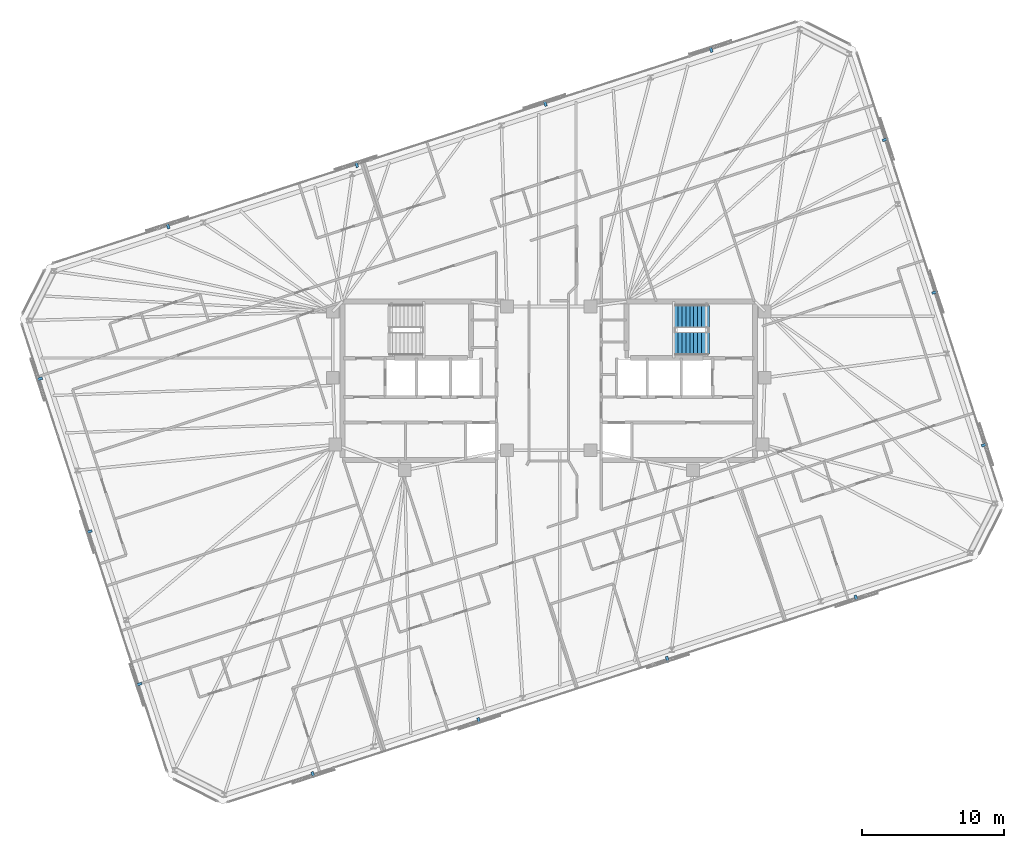
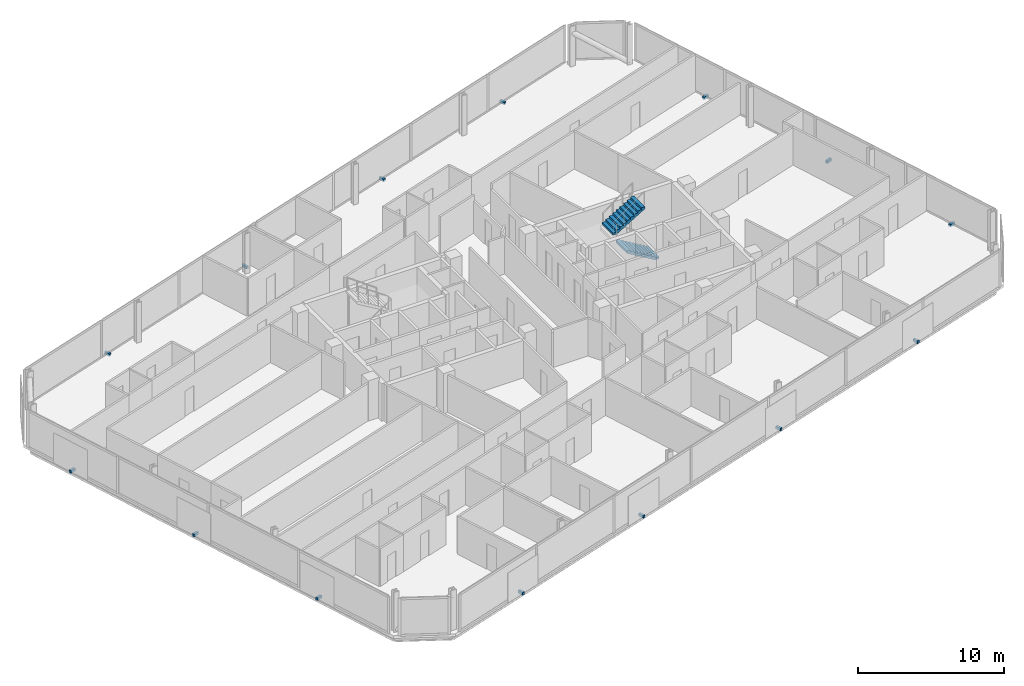
# One storey, part 18 of 19: 14 discrete accessories, 2 stair flights, 1 element without a shape of its own.
"""IFC4 building model written with IfcOpenShell, lengths in metres."""

from ifc_helpers import new_model, si_unit, direction, frame, origin, origin_2d, place, context, subcontext, project, spatial, polyline, rectangle, outline, extrude, material, type_object, element, aggregate, save


model = new_model("IFC4")

# Units and contexts
model_context = context("Model", 3, precision=1e-05, world=origin(), true_north=direction((0.0, 1.0)))
body_context = subcontext(model_context, "Body", "Model", "MODEL_VIEW")
ifc_project = project(units=[si_unit("LENGTHUNIT", "METRE"), si_unit("AREAUNIT", "SQUARE_METRE"), si_unit("VOLUMEUNIT", "CUBIC_METRE"), si_unit("PLANEANGLEUNIT", "RADIAN"), si_unit("MASSUNIT", "GRAM", prefix="KILO")], contexts=[model_context])

# Site, building, storey
site_placement = place(None, origin())
site = spatial("IfcSite", under=ifc_project, at=site_placement, CompositionType="ELEMENT")
building_placement = place(site_placement, origin())
building = spatial("IfcBuilding", under=site, at=building_placement, Name="Menara Jurai Vektor", CompositionType="ELEMENT")
storey_placement = place(building_placement, frame((0.0, 0.0, 220.949951171875)))
storey = spatial("IfcBuildingStorey", under=building, at=storey_placement, Name="L58", CompositionType="ELEMENT", Elevation=220.949951171875)

# Stair, stair flights
ifc_material_1 = material(Name="Concrete C40/50", Category="concrete")
stair_type = type_object("IfcStairType", Name="STAIR-DOGLEG-1500", PredefinedType="HALF_TURN_STAIR", material=ifc_material_1)
stair_placement = place(storey_placement, origin())
stair = element("IfcStair", 1, at=stair_placement, inside=storey, type_object=stair_type, Name="Protected Exit Stair ST2 L58", PredefinedType="HALF_TURN_STAIR")
stair_flight_type = type_object("IfcStairFlightType", Name="STAIR-FLIGHT-1500", PredefinedType="STRAIGHT", material=ifc_material_1)
stair_flight_1_placement = place(storey_placement, frame((11.35009765625, 2.64990234375, 0.0), z_axis=(0.0, 0.0, 1.0), x_axis=(-1.0, 0.0, 0.0)))
stair_flight_1 = element("IfcStairFlight", 2, at=stair_flight_1_placement, type_object=stair_flight_type, Name="ST2 flight 1", NumberOfRisers=10, NumberOfTreads=9, PredefinedType="STRAIGHT", RiserHeight=0.1675, TreadLength=0.28, context=body_context, shape_type="SweptSolid", body=[
    extrude(outline(polyline([(0.0, 0.0), (0.0, 0.16748046875), (0.280029296875, 0.16748046875), (0.280029296875, 0.3349609375), (0.56005859375, 0.3349609375), (0.56005859375, 0.50244140625), (0.840087890625, 0.50244140625), (0.840087890625, 0.669921875), (1.1201171875, 0.669921875), (1.1201171875, 0.83740234375), (1.39990234375, 0.83740234375), (1.39990234375, 1.0048828125), (1.679931640625, 1.0048828125), (1.679931640625, 1.172607421875), (1.9599609375, 1.172607421875), (1.9599609375, 1.340087890625), (2.239990234375, 1.340087890625), (2.239990234375, 1.507568359375), (2.52001953125, 1.507568359375), (2.52001953125, 1.675048828125), (2.52001953125, 1.321044921875), (0.3115234375, 0.0), (0.0, 0.0)])), frame((0.0, 0.75, 0.0), z_axis=(0.0, -1.0, 0.0), x_axis=(1.0, 0.0, 0.0)), (0.0, 0.0, 1.0), 1.5),
])
stair_flight_2_placement = place(storey_placement, frame((8.830078125, 4.550048828125, 1.675048828125), z_axis=(0.0, 0.0, 1.0), x_axis=(1.0, 0.0, 0.0)))
stair_flight_2 = element("IfcStairFlight", 3, at=stair_flight_2_placement, type_object=stair_flight_type, Name="ST2 flight 2", NumberOfRisers=10, NumberOfTreads=9, PredefinedType="STRAIGHT", RiserHeight=0.1675, TreadLength=0.28, context=body_context, shape_type="SweptSolid", body=[
    extrude(outline(polyline([(0.0, 0.0), (0.0, 0.16748046875), (0.280029296875, 0.16748046875), (0.280029296875, 0.3349609375), (0.56005859375, 0.3349609375), (0.56005859375, 0.50244140625), (0.840087890625, 0.50244140625), (0.840087890625, 0.669921875), (1.1201171875, 0.669921875), (1.1201171875, 0.83740234375), (1.39990234375, 0.83740234375), (1.39990234375, 1.0048828125), (1.679931640625, 1.0048828125), (1.679931640625, 1.172607421875), (1.9599609375, 1.172607421875), (1.9599609375, 1.340087890625), (2.239990234375, 1.340087890625), (2.239990234375, 1.507568359375), (2.52001953125, 1.507568359375), (2.52001953125, 1.675048828125), (2.52001953125, 1.321044921875), (0.3115234375, 0.0), (0.0, 0.0)])), frame((0.0, 0.75, 0.0), z_axis=(0.0, -1.0, 0.0), x_axis=(1.0, 0.0, 0.0)), (0.0, 0.0, 1.0), 1.5),
])
aggregate(stair, [stair_flight_1, stair_flight_2])

# Discrete accessories
ifc_material_2 = material(Name="Steel S355", Category="steel")
discrete_accessory_type = type_object("IfcDiscreteAccessoryType", Name="ENV-ACC-BRACKET", PredefinedType="BRACKET", material=ifc_material_2)
for number, where, z_axis, x_axis, name in (
    (4, (-16.655029296875, -27.806396484375, -0.1298828125), (0.0, 0.0, 1.0), (0.951056516295, 0.309016994375, 0.0), "Solar Screen Stand-Off Bracket L58-S01"),
    (5, (-4.93798828125, -23.99951171875, -0.1298828125), (0.0, 0.0, 1.0), (0.951056516295, 0.309016994375, 0.0), "Solar Screen Stand-Off Bracket L58-S02"),
    (6, (8.376708984375, -19.673095703125, -0.1298828125), (0.0, 0.0, 1.0), (0.951056516295, 0.309016994375, 0.0), "Solar Screen Stand-Off Bracket L58-S03"),
    (7, (21.69140625, -15.346923828125, -0.1298828125), (0.0, 0.0, 1.0), (0.951056516295, 0.309016994375, 0.0), "Solar Screen Stand-Off Bracket L58-S04"),
    (8, (30.76220703125, -4.527587890625, -0.1298828125), (0.0, 0.0, 1.0), (-0.309016994375, 0.951056516295, 0.0), "Solar Screen Stand-Off Bracket L58-S05"),
    (9, (27.260009765625, 6.2509765625, -0.1298828125), (0.0, 0.0, 1.0), (-0.309016994375, 0.951056516295, 0.0), "Solar Screen Stand-Off Bracket L58-S06"),
    (10, (23.7578125, 17.029541015625, -0.1298828125), (0.0, 0.0, 1.0), (-0.309016994375, 0.951056516295, 0.0), "Solar Screen Stand-Off Bracket L58-S07"),
    (11, (11.455078125, 23.406494140625, -0.1298828125), (0.0, 0.0, 1.0), (-0.951056516295, -0.309016994375, 0.0), "Solar Screen Stand-Off Bracket L58-S08"),
    (12, (-0.261962890625, 19.599365234375, -0.1298828125), (0.0, 0.0, 1.0), (-0.951056516295, -0.309016994375, 0.0), "Solar Screen Stand-Off Bracket L58-S09"),
    (13, (-13.576904296875, 15.273193359375, -0.1298828125), (0.0, 0.0, 1.0), (-0.951056516295, -0.309016994375, 0.0), "Solar Screen Stand-Off Bracket L58-S10"),
    (14, (-26.8916015625, 10.947021484375, -0.1298828125), (0.0, 0.0, 1.0), (-0.951056516295, -0.309016994375, 0.0), "Solar Screen Stand-Off Bracket L58-S11"),
    (15, (-35.962158203125, 0.127685546875, -0.1298828125), (0.0, 0.0, 1.0), (0.309016994375, -0.951056516295, 0.0), "Solar Screen Stand-Off Bracket L58-S12"),
    (16, (-32.4599609375, -10.65087890625, -0.1298828125), (0.0, 0.0, 1.0), (0.309016994375, -0.951056516295, 0.0), "Solar Screen Stand-Off Bracket L58-S13"),
    (17, (-28.957763671875, -21.429443359375, -0.1298828125), (0.0, 0.0, 1.0), (0.309016994375, -0.951056516295, 0.0), "Solar Screen Stand-Off Bracket L58-S14"),
):
    element("IfcDiscreteAccessory", number, at=place(storey_placement, frame(where, z_axis=z_axis, x_axis=x_axis)), inside=storey, type_object=discrete_accessory_type, Name=name, PredefinedType="BRACKET", context=body_context, shape_type="SweptSolid", body=[
        extrude(rectangle(XDim=0.179931640625, YDim=0.43994140625, at=origin_2d()), origin(), (0.0, 0.0, 1.0), 0.219970703125),
    ])

save(model, "model.ifc")
